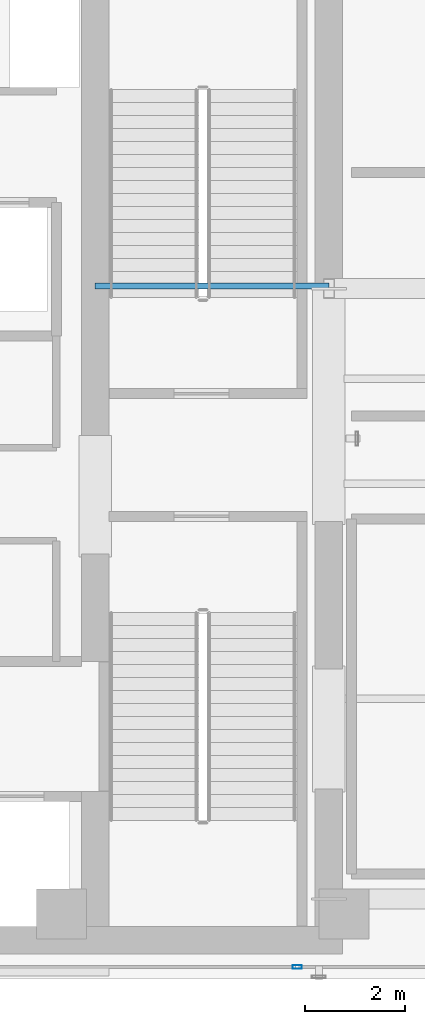
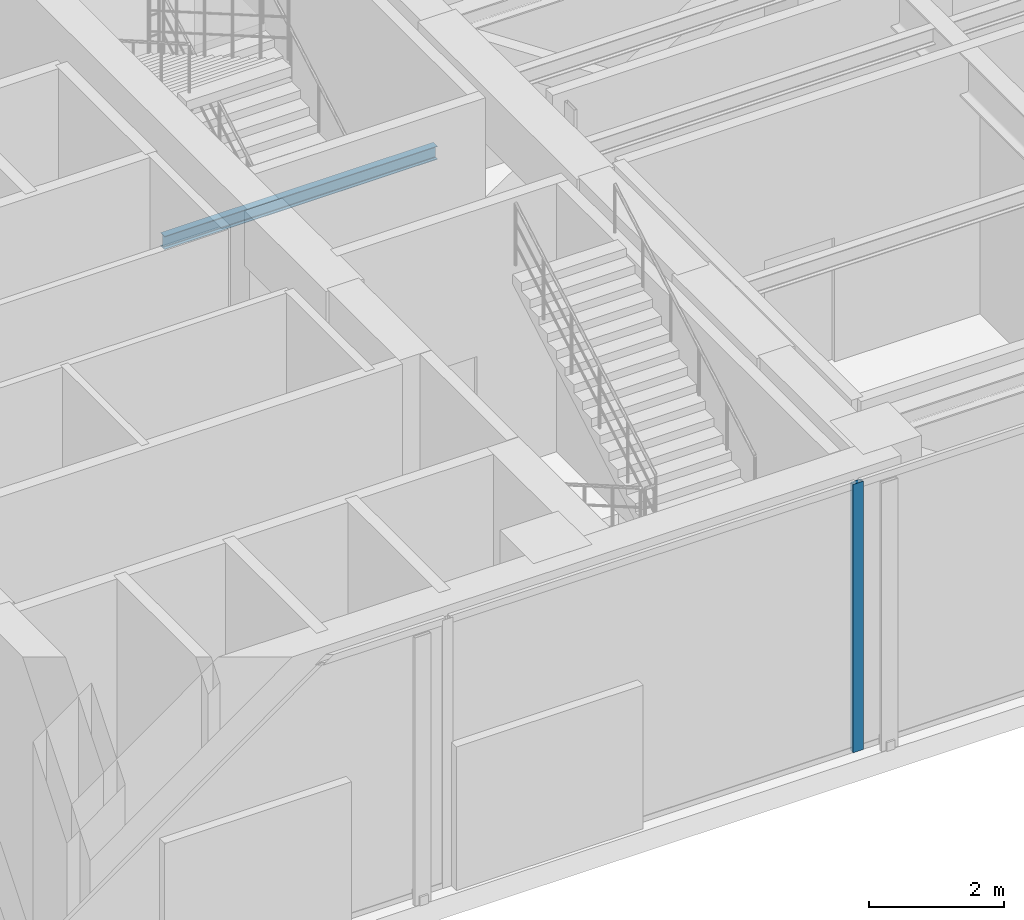
# One storey, part 5 of 31: 1 beam, 1 member, 1 element without a shape of its own.
"""IFC4 building model written with IfcOpenShell, lengths in metres."""

from ifc_helpers import new_model, si_unit, direction, frame, origin, origin_with_axes, origin_2d, place, context, subcontext, project, spatial, hollow_rectangle, i_section, extrude, source, transform, mapped, material, layer, layer_set, material_profile, profile_set, type_object, element, aggregate, save


model = new_model("IFC4")

# Units and contexts
model_context = context("Model", 3, precision=1e-05, world=origin(), true_north=direction((0.0, 1.0)))
body_context = subcontext(model_context, "Body", "Model", "MODEL_VIEW")
ifc_project = project(units=[si_unit("LENGTHUNIT", "METRE"), si_unit("AREAUNIT", "SQUARE_METRE"), si_unit("VOLUMEUNIT", "CUBIC_METRE"), si_unit("PLANEANGLEUNIT", "RADIAN"), si_unit("MASSUNIT", "GRAM", prefix="KILO")], contexts=[model_context])

# Site, building, storey
site_placement = place(None, origin())
site = spatial("IfcSite", under=ifc_project, at=site_placement, CompositionType="ELEMENT")
building_placement = place(site_placement, origin())
building = spatial("IfcBuilding", under=site, at=building_placement, Name="Kolvaren Waterfront Exchange", CompositionType="ELEMENT")
storey_placement = place(building_placement, frame((0.0, 0.0, 257.699951171875)))
storey = spatial("IfcBuildingStorey", under=building, at=storey_placement, Name="L66", CompositionType="ELEMENT", Elevation=257.699951171875)

# Beam
ifc_material_1 = material(Name="Steel S355", Category="steel")
ifc_material_profile_1 = material_profile(ifc_material_1, i_section(OverallWidth=0.1201171875, OverallDepth=0.239990234375, WebThickness=0.006103515625, FlangeThickness=0.009765625, FilletRadius=0.014892578125, at=origin_2d()), Name="IPE240")
ifc_profile_set_1 = profile_set([ifc_material_profile_1], Name="Steel S355")
beam_type = type_object("IfcBeamType", Name="STR-BM-IPE240", PredefinedType="LINTEL", material=ifc_profile_set_1)
beam_placement = place(storey_placement, frame((16.125, 17.449951171875, 2.380126953125), z_axis=(1.0, 0.0, 0.0), x_axis=(0.0, 1.0, 0.0)))
element("IfcBeam", 1, at=beam_placement, inside=storey, type_object=beam_type, Name="L66 core stair header lintel", PredefinedType="LINTEL", context=body_context, shape_type="SweptSolid", body=[
    extrude(i_section(OverallWidth=0.1201171875, OverallDepth=0.239990234375, WebThickness=0.006103515625, FlangeThickness=0.009765625, FilletRadius=0.014892578125, at=origin_2d()), origin(), (0.0, 0.0, 1.0), 4.675048828125),
])

# Curtain wall, member
ifc_material_2 = material(Name="Anodised dark bronze spandrel aluminium", Category="aluminium")
ifc_layer = layer(ifc_material_2, 0.219970703125, Name="Anodised dark bronze spandrel aluminium")
ifc_layer_set = layer_set([ifc_layer], Name="Anodised dark bronze spandrel aluminium")
curtain_wall_type = type_object("IfcCurtainWallType", Name="ARC-CW-SYS6", PredefinedType="USERDEFINED", material=ifc_layer_set)
curtain_wall_placement = place(storey_placement, origin())
curtain_wall = element("IfcCurtainWall", 2, at=curtain_wall_placement, inside=storey, type_object=curtain_wall_type, Name="L66 stick curtain wall CW6 (CW-L66-S)", ObjectType="STICK CURTAIN WALL", PredefinedType="USERDEFINED")
ifc_material_3 = material(Name="Anodised bronze aluminium 6063-T6", Category="aluminium")
ifc_material_profile_2 = material_profile(ifc_material_3, hollow_rectangle(XDim=0.074951171875, YDim=0.179931640625, WallThickness=0.00439453125, at=origin_2d()), Name="ALU-MUL-180x75x4.5")
ifc_profile_set_2 = profile_set([ifc_material_profile_2], Name="Anodised bronze aluminium 6063-T6")
member_type = type_object("IfcMemberType", Name="ARC-CWM-180", PredefinedType="MULLION", material=ifc_profile_set_2)
shared_shape = source(origin_with_axes(), body_context, "Body", "SweptSolid", [
    extrude(hollow_rectangle(XDim=0.074951171875, YDim=0.179931640625, WallThickness=0.00439453125, at=origin_2d()), origin(), (0.0, 0.0, 1.0), 4.860107421875),
])
member_placement = place(storey_placement, frame((20.166748046875, 3.840087890625, 0.0), z_axis=(0.0, 0.0, 1.0), x_axis=(0.0, 1.0, 0.0)))
member = element("IfcMember", 3, at=member_placement, type_object=member_type, Name="CW6 mullion 3", PredefinedType="MULLION", context=body_context, shape_type="MappedRepresentation", body=[
    mapped(shared_shape, transform((0.0, 0.0, 0.0), x_axis=(1.0, 0.0, 0.0), y_axis=(0.0, 1.0, 0.0), z_axis=(0.0, 0.0, 1.0), scale=1.0)),
])
aggregate(curtain_wall, [member])

save(model, "model.ifc")
